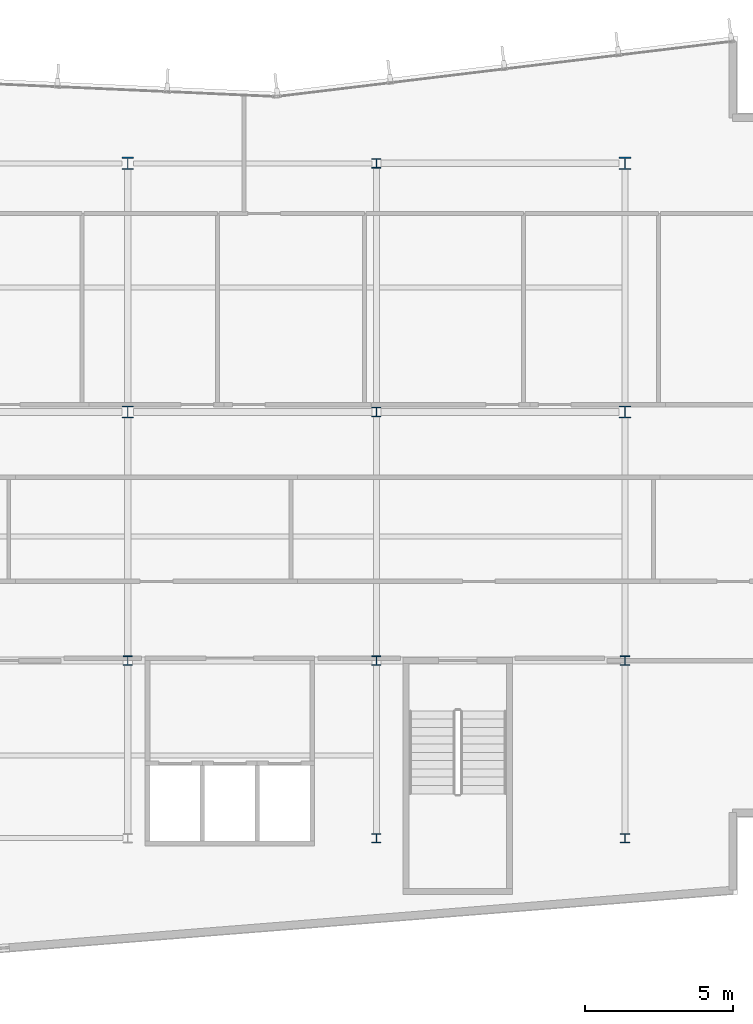
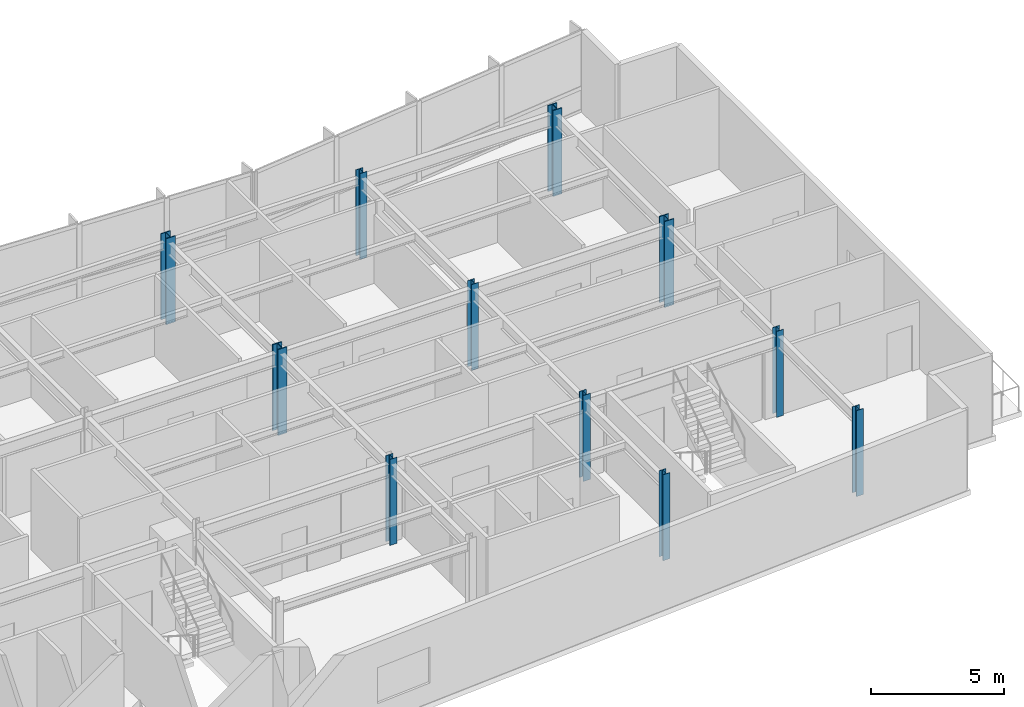
# One storey, part 2 of 18: 11 columns.
"""IFC4 building model written with IfcOpenShell, lengths in metres."""

from ifc_helpers import new_model, si_unit, direction, frame, origin, origin_2d, place, context, subcontext, project, spatial, i_section, extrude, material, material_profile, profile_set, type_object, element, save


model = new_model("IFC4")

# Units and contexts
model_context = context("Model", 3, precision=1e-05, world=origin(), true_north=direction((0.0, 1.0)))
body_context = subcontext(model_context, "Body", "Model", "MODEL_VIEW")
ifc_project = project(units=[si_unit("LENGTHUNIT", "METRE"), si_unit("AREAUNIT", "SQUARE_METRE"), si_unit("VOLUMEUNIT", "CUBIC_METRE"), si_unit("PLANEANGLEUNIT", "RADIAN"), si_unit("MASSUNIT", "GRAM", prefix="KILO")], contexts=[model_context])

# Site, building, storey
site_placement = place(None, origin())
site = spatial("IfcSite", under=ifc_project, at=site_placement, CompositionType="ELEMENT")
building_placement = place(site_placement, origin())
building = spatial("IfcBuilding", under=site, at=building_placement, Name="Varnakote Quay Hospital", CompositionType="ELEMENT")
storey_placement = place(building_placement, frame((0.0, 0.0, 150.75)))
storey = spatial("IfcBuildingStorey", under=building, at=storey_placement, Name="L37", CompositionType="ELEMENT", Elevation=150.75)

# Columns
ifc_material_1 = material(Name="Structural steel AS/NZS 3679.1 Grade 350 L0 (fy 340 MPa)", Category="steel")
ifc_material_profile_1 = material_profile(ifc_material_1, i_section(OverallWidth=0.306884765625, OverallDepth=0.31494140625, WebThickness=0.011962890625, FlangeThickness=0.018798828125, FilletRadius=0.0166015625, at=origin_2d()), Name="310UC118")
ifc_profile_set_1 = profile_set([ifc_material_profile_1], Name="Structural steel AS/NZS 3679.1 Grade 350 L0 (fy 340 MPa)")
column_type_1 = type_object("IfcColumnType", Name="COL-STL-310UC118", PredefinedType="COLUMN", material=ifc_profile_set_1)
for number, where, z_axis, x_axis, name in (
    (1, (42.0, 6.0, 0.0), (0.0, 0.0, 1.0), (1.0, 0.0, 0.0), "L37 Structural Column C-42-6"),
    (2, (50.39990234375, 6.0, 0.0), (0.0, 0.0, 1.0), (1.0, 0.0, 0.0), "L37 Structural Column C-50-6"),
    (3, (33.60009765625, 12.0, 0.0), (0.0, 0.0, 1.0), (1.0, 0.0, 0.0), "L37 Structural Column C-34-12"),
    (4, (42.0, 12.0, 0.0), (0.0, 0.0, 1.0), (1.0, 0.0, 0.0), "L37 Structural Column C-42-12"),
    (5, (50.39990234375, 12.0, 0.0), (0.0, 0.0, 1.0), (1.0, 0.0, 0.0), "L37 Structural Column C-50-12"),
    (6, (42.0, 20.39990234375, 0.0), (0.0, 0.0, 1.0), (1.0, 0.0, 0.0), "L37 Structural Column C-42-20"),
    (7, (42.0, 28.800048828125, 0.0), (0.0, 0.0, 1.0), (1.0, 0.0, 0.0), "L37 Structural Column C-42-29"),
):
    element("IfcColumn", number, at=place(storey_placement, frame(where, z_axis=z_axis, x_axis=x_axis)), inside=storey, type_object=column_type_1, Name=name, PredefinedType="COLUMN", context=body_context, shape_type="SweptSolid", body=[
        extrude(i_section(OverallWidth=0.306884765625, OverallDepth=0.31494140625, WebThickness=0.011962890625, FlangeThickness=0.018798828125, FilletRadius=0.0166015625, at=origin_2d()), origin(), (0.0, 0.0, 1.0), 3.949951171875),
    ])
ifc_material_2 = material(Name="Structural steel AS/NZS 3678 Grade 350 (fy 340 MPa)", Category="steel")
ifc_material_profile_2 = material_profile(ifc_material_2, i_section(OverallWidth=0.39990234375, OverallDepth=0.419921875, WebThickness=0.02490234375, FlangeThickness=0.0400390625, at=origin_2d()), Name="400WC328")
ifc_profile_set_2 = profile_set([ifc_material_profile_2], Name="Structural steel AS/NZS 3678 Grade 350 (fy 340 MPa)")
column_type_2 = type_object("IfcColumnType", Name="COL-STL-400WC328", PredefinedType="COLUMN", material=ifc_profile_set_2)
for number, where, z_axis, x_axis, name in (
    (8, (33.60009765625, 20.39990234375, 0.0), (0.0, 0.0, 1.0), (1.0, 0.0, 0.0), "L37 Structural Column C-34-20"),
    (9, (50.39990234375, 20.39990234375, 0.0), (0.0, 0.0, 1.0), (1.0, 0.0, 0.0), "L37 Structural Column C-50-20"),
    (10, (33.60009765625, 28.800048828125, 0.0), (0.0, 0.0, 1.0), (1.0, 0.0, 0.0), "L37 Structural Column C-34-29"),
    (11, (50.39990234375, 28.800048828125, 0.0), (0.0, 0.0, 1.0), (1.0, 0.0, 0.0), "L37 Structural Column C-50-29"),
):
    element("IfcColumn", number, at=place(storey_placement, frame(where, z_axis=z_axis, x_axis=x_axis)), inside=storey, type_object=column_type_2, Name=name, PredefinedType="COLUMN", context=body_context, shape_type="SweptSolid", body=[
        extrude(i_section(OverallWidth=0.39990234375, OverallDepth=0.419921875, WebThickness=0.02490234375, FlangeThickness=0.0400390625, at=origin_2d()), origin(), (0.0, 0.0, 1.0), 3.949951171875),
    ])

save(model, "model.ifc")
